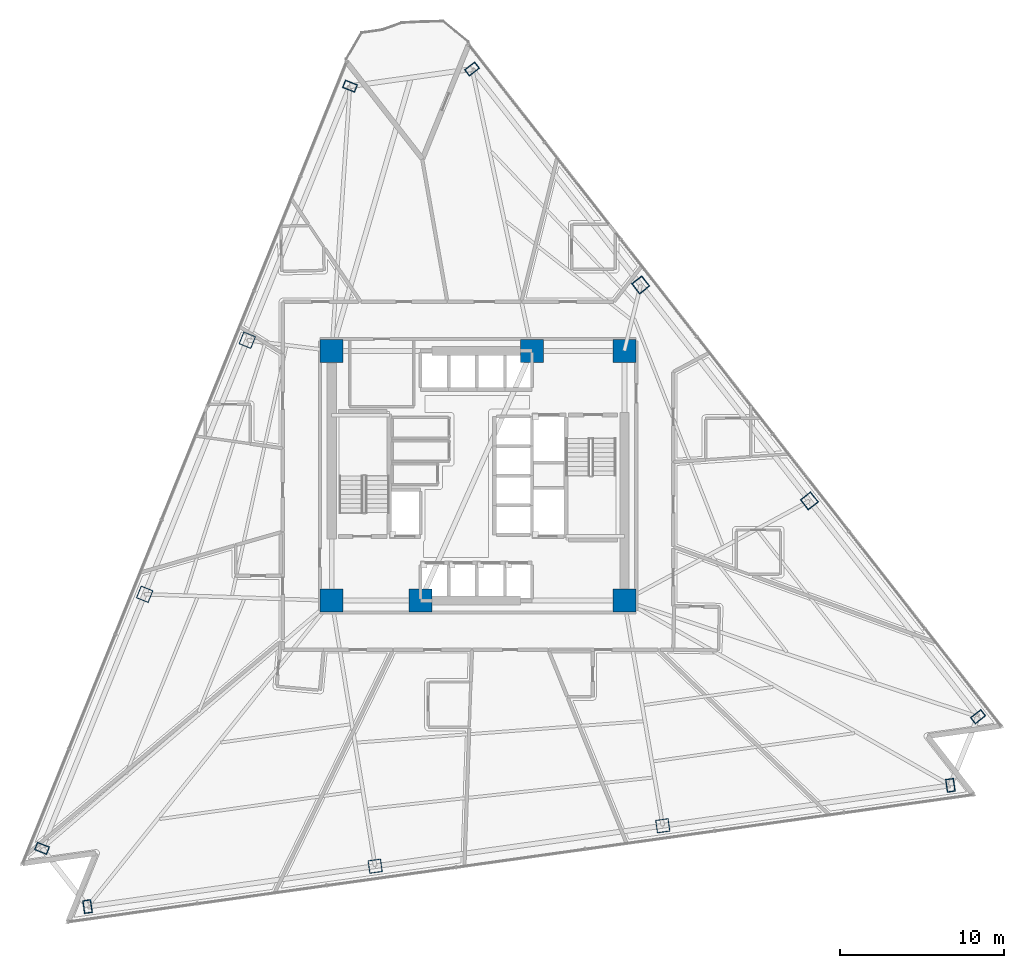
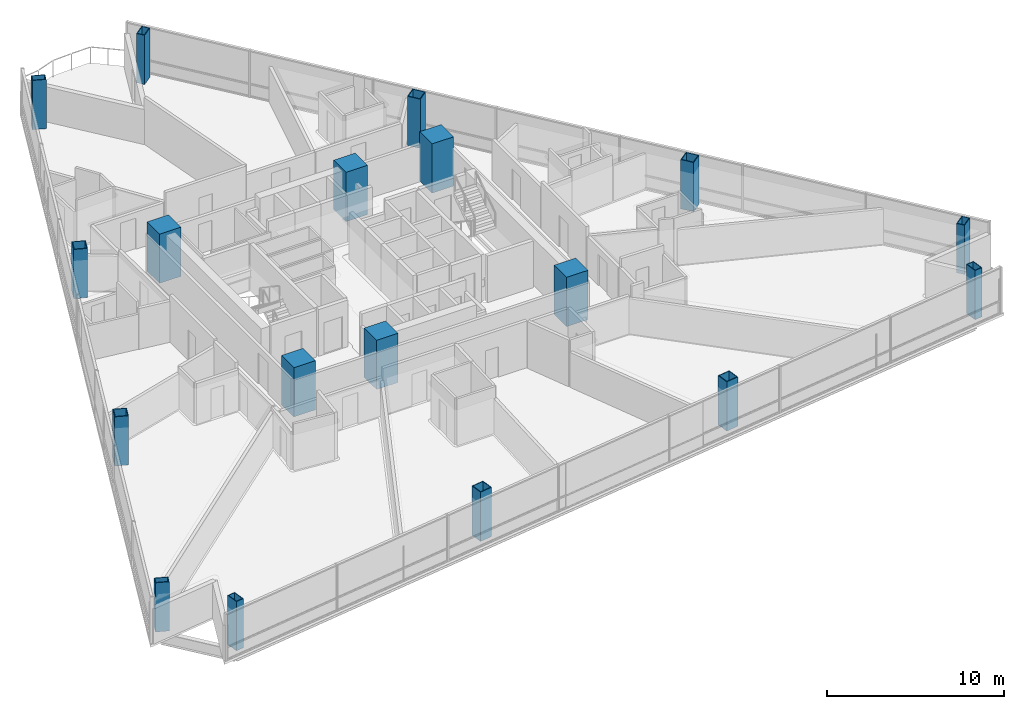
# One storey, part 1 of 15: 18 columns.
"""IFC4 building model written with IfcOpenShell, lengths in metres."""

from ifc_helpers import new_model, si_unit, direction, frame, origin, origin_2d, place, context, subcontext, project, spatial, rectangle, hollow_rectangle, extrude, material, material_profile, profile_set, type_object, element, save


model = new_model("IFC4")

# Units and contexts
model_context = context("Model", 3, precision=1e-05, world=origin(), true_north=direction((0.0, 1.0)))
body_context = subcontext(model_context, "Body", "Model", "MODEL_VIEW")
ifc_project = project(units=[si_unit("LENGTHUNIT", "METRE"), si_unit("AREAUNIT", "SQUARE_METRE"), si_unit("VOLUMEUNIT", "CUBIC_METRE"), si_unit("PLANEANGLEUNIT", "RADIAN"), si_unit("MASSUNIT", "GRAM", prefix="KILO")], contexts=[model_context])

# Site, building, storey
site_placement = place(None, origin())
site = spatial("IfcSite", under=ifc_project, at=site_placement, CompositionType="ELEMENT")
building_placement = place(site_placement, origin())
building = spatial("IfcBuilding", under=site, at=building_placement, Name="Tharavind Bronze Gate", CompositionType="ELEMENT")
storey_placement = place(building_placement, frame((0.0, 0.0, 60.449951171875)))
storey = spatial("IfcBuildingStorey", under=building, at=storey_placement, Name="L14", CompositionType="ELEMENT", Elevation=60.449951171875)

# Columns
ifc_material_1 = material(Name="Steel S460", Category="steel")
ifc_material_profile_1 = material_profile(ifc_material_1, hollow_rectangle(XDim=0.5, YDim=0.800048828125, WallThickness=0.0400390625, at=origin_2d()), Name="RHS800X500X40")
ifc_profile_set_1 = profile_set([ifc_material_profile_1], Name="Steel S460")
column_type_1 = type_object("IfcColumnType", Name="CORNER NOTCH COLUMN RHS800X500", PredefinedType="COLUMN", material=ifc_profile_set_1)
for number, where, z_axis, x_axis, name in (
    (1, (-7.7919921875, 23.69775390625, 0.0), (0.0, 0.0, 1.0), (0.374608211656, 0.927183200754, 0.0), "L14 perimeter column S1C1"),
    (2, (-26.525146484375, -22.66845703125, 0.0), (0.0, 0.0, 1.0), (0.374608211656, 0.927183200754, 0.0), "L14 perimeter column S1C4"),
    (3, (-23.754638671875, -26.21435546875, 0.0), (0.0, 0.0, 1.0), (0.990268068742, 0.13917310096, 0.0), "L14 perimeter column S2C1"),
    (4, (28.737060546875, -18.837158203125, 0.0), (0.0, 0.0, 1.0), (0.990268068742, 0.13917310096, 0.0), "L14 perimeter column S2C4"),
    (5, (30.422607421875, -14.664794921875, 0.0), (0.0, 0.0, 1.0), (-0.615661475326, 0.788010753607, 0.0), "L14 perimeter column S3C1"),
    (6, (-0.364990234375, 24.741455078125, 0.0), (0.0, 0.0, 1.0), (-0.615661475326, 0.788010753607, 0.0), "L14 perimeter column S3C4"),
):
    element("IfcColumn", number, at=place(storey_placement, frame(where, z_axis=z_axis, x_axis=x_axis)), inside=storey, type_object=column_type_1, Name=name, PredefinedType="COLUMN", context=body_context, shape_type="SweptSolid", body=[
        extrude(hollow_rectangle(XDim=0.5, YDim=0.800048828125, WallThickness=0.0400390625, at=origin_2d()), origin(), (0.0, 0.0, 1.0), 3.400146484375),
    ])
ifc_material_2 = material(Name="Concrete C70/85", Category="concrete")
ifc_material_profile_2 = material_profile(ifc_material_2, rectangle(XDim=1.39990234375, YDim=1.39990234375, at=origin_2d()), Name="RCCOL1400")
ifc_profile_set_2 = profile_set([ifc_material_profile_2], Name="Concrete C70/85")
column_type_2 = type_object("IfcColumnType", Name="MEGA CORE COLUMN 1400", PredefinedType="COLUMN", material=ifc_profile_set_2)
for number, where, z_axis, x_axis, name in (
    (7, (-8.89990234375, -7.60009765625, 0.0), (0.0, 0.0, 1.0), (1.0, 0.0, 0.0), "L14 core mega column MC1"),
    (8, (-3.5, -7.60009765625, 0.0), (0.0, 0.0, 1.0), (1.0, 0.0, 0.0), "L14 core mega column MC2"),
    (9, (8.89990234375, -7.60009765625, 0.0), (0.0, 0.0, 1.0), (1.0, 0.0, 0.0), "L14 core mega column MC3"),
    (10, (8.89990234375, 7.60009765625, 0.0), (0.0, 0.0, 1.0), (1.0, 0.0, 0.0), "L14 core mega column MC4"),
    (11, (3.280029296875, 7.60009765625, 0.0), (0.0, 0.0, 1.0), (1.0, 0.0, 0.0), "L14 core mega column MC5"),
    (12, (-8.89990234375, 7.60009765625, 0.0), (0.0, 0.0, 1.0), (1.0, 0.0, 0.0), "L14 core mega column MC6"),
):
    element("IfcColumn", number, at=place(storey_placement, frame(where, z_axis=z_axis, x_axis=x_axis)), inside=storey, type_object=column_type_2, Name=name, PredefinedType="COLUMN", context=body_context, shape_type="SweptSolid", body=[
        extrude(rectangle(XDim=1.39990234375, YDim=1.39990234375, at=origin_2d()), origin(), (0.0, 0.0, 1.0), 3.400146484375),
    ])
ifc_material_profile_3 = material_profile(ifc_material_1, hollow_rectangle(XDim=0.800048828125, YDim=0.800048828125, WallThickness=0.044921875, at=origin_2d()), Name="SHS800X45")
ifc_profile_set_3 = profile_set([ifc_material_profile_3], Name="Steel S460")
column_type_3 = type_object("IfcColumnType", Name="PERIMETER BOX COLUMN SHS800", PredefinedType="COLUMN", material=ifc_profile_set_3)
for number, where, z_axis, x_axis, name in (
    (13, (-14.036376953125, 8.2421875, 0.0), (0.0, 0.0, 1.0), (0.374608211656, 0.927183200754, 0.0), "L14 perimeter column S1C2"),
    (14, (-20.28076171875, -7.212890625, 0.0), (0.0, 0.0, 1.0), (0.374608211656, 0.927183200754, 0.0), "L14 perimeter column S1C3"),
    (15, (-6.25732421875, -23.75537109375, 0.0), (0.0, 0.0, 1.0), (0.990268068742, 0.13917310096, 0.0), "L14 perimeter column S2C2"),
    (16, (11.23974609375, -21.29638671875, 0.0), (0.0, 0.0, 1.0), (0.990268068742, 0.13917310096, 0.0), "L14 perimeter column S2C3"),
    (17, (20.16015625, -1.529296875, 0.0), (0.0, 0.0, 1.0), (-0.615661475326, 0.788010753607, 0.0), "L14 perimeter column S3C2"),
    (18, (9.897705078125, 11.60595703125, 0.0), (0.0, 0.0, 1.0), (-0.615661475326, 0.788010753607, 0.0), "L14 perimeter column S3C3"),
):
    element("IfcColumn", number, at=place(storey_placement, frame(where, z_axis=z_axis, x_axis=x_axis)), inside=storey, type_object=column_type_3, Name=name, PredefinedType="COLUMN", context=body_context, shape_type="SweptSolid", body=[
        extrude(hollow_rectangle(XDim=0.800048828125, YDim=0.800048828125, WallThickness=0.044921875, at=origin_2d()), origin(), (0.0, 0.0, 1.0), 3.400146484375),
    ])

save(model, "model.ifc")
